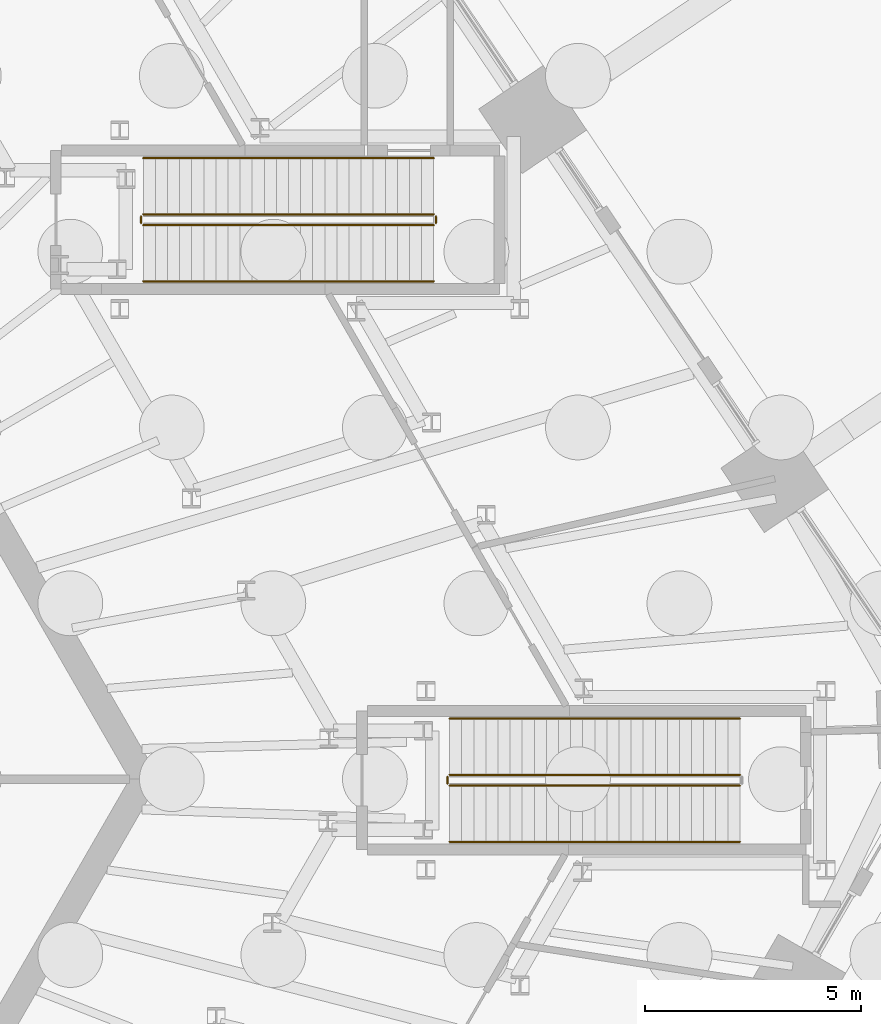
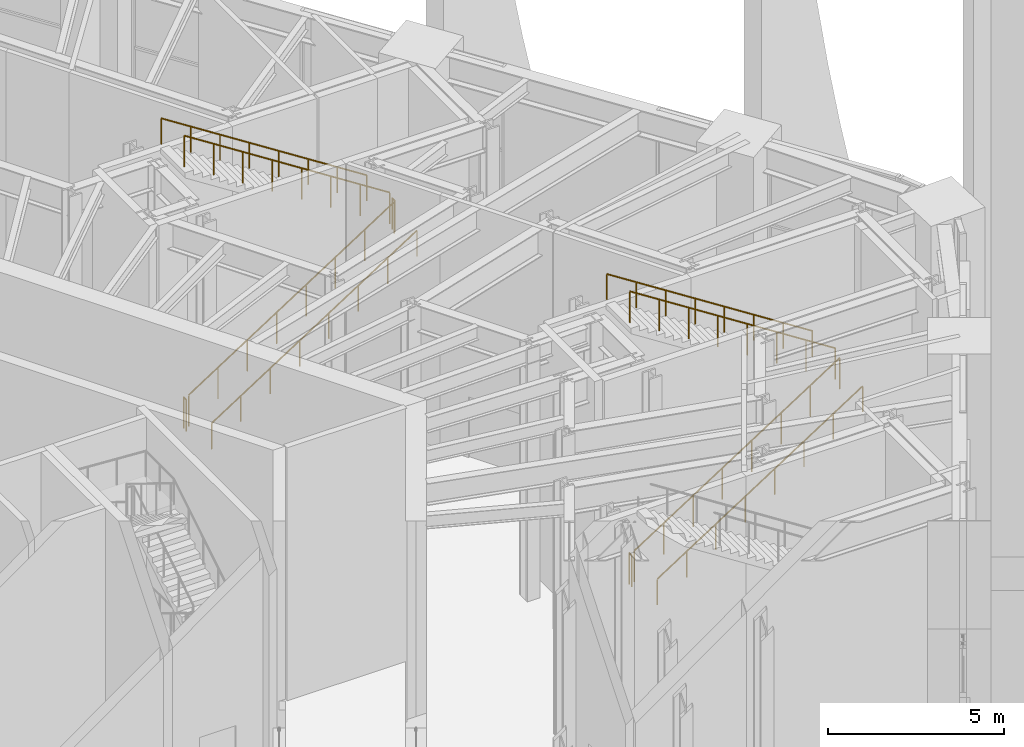
# One storey, part 39 of 43: 11 railings.
"""IFC4 building model written with IfcOpenShell, lengths in metres."""

from ifc_helpers import new_model, si_unit, direction, frame, origin, origin_2d, place, context, subcontext, project, spatial, circle, extrude, material, type_object, element, save


model = new_model("IFC4")

# Units and contexts
model_context = context("Model", 3, precision=1e-05, world=origin(), true_north=direction((0.0, 1.0)))
body_context = subcontext(model_context, "Body", "Model", "MODEL_VIEW")
ifc_project = project(units=[si_unit("LENGTHUNIT", "METRE"), si_unit("AREAUNIT", "SQUARE_METRE"), si_unit("VOLUMEUNIT", "CUBIC_METRE"), si_unit("PLANEANGLEUNIT", "RADIAN"), si_unit("MASSUNIT", "GRAM", prefix="KILO")], contexts=[model_context])

# Site, building, storey
site_placement = place(None, origin())
site = spatial("IfcSite", under=ifc_project, at=site_placement, CompositionType="ELEMENT")
building_placement = place(site_placement, origin())
building = spatial("IfcBuilding", under=site, at=building_placement, Name="Tarnside Tower", CompositionType="ELEMENT")
storey_placement = place(building_placement, origin())
storey = spatial("IfcBuildingStorey", under=building, at=storey_placement, Name="L00", CompositionType="ELEMENT", Elevation=0.0)

# Railings
ifc_material = material(Name="Stainless steel", Category="steel")
railing_type_1 = type_object("IfcRailingType", Name="Podium stair guard 1100", PredefinedType="GUARDRAIL", material=ifc_material)
railing_1_placement = place(storey_placement, frame((22.8798828125, -0.14990234375, 0.179931640625)))
element("IfcRailing", 1, at=railing_1_placement, inside=storey, type_object=railing_type_1, Name="L00 PS3 stair guard 1", PredefinedType="GUARDRAIL", context=body_context, shape_type="SweptSolid", body=[
    extrude(circle(Radius=0.02392578125, at=origin_2d()), frame((0.0, 0.0, 1.076171875), z_axis=(0.841182446993, 0.0, 0.540751413193), x_axis=(0.0, 1.0, 0.0)), (0.0, 0.0, 1.0), 7.989013671875),
    extrude(circle(Radius=0.02099609375, at=origin_2d()), origin(), (0.0, 0.0, 1.0), 1.052001953125),
    extrude(circle(Radius=0.02099609375, at=origin_2d()), frame((0.9599609375, 0.0, 0.6171875)), (0.0, 0.0, 1.0), 1.052001953125),
    extrude(circle(Radius=0.02099609375, at=origin_2d()), frame((1.920166015625, 0.0, 1.234375)), (0.0, 0.0, 1.0), 1.052001953125),
    extrude(circle(Radius=0.02099609375, at=origin_2d()), frame((2.880126953125, 0.0, 1.8515625)), (0.0, 0.0, 1.0), 1.052001953125),
    extrude(circle(Radius=0.02099609375, at=origin_2d()), frame((3.840087890625, 0.0, 2.468505859375)), (0.0, 0.0, 1.0), 1.052001953125),
    extrude(circle(Radius=0.02099609375, at=origin_2d()), frame((4.800048828125, 0.0, 3.085693359375)), (0.0, 0.0, 1.0), 1.052001953125),
    extrude(circle(Radius=0.02099609375, at=origin_2d()), frame((5.76025390625, 0.0, 3.702880859375)), (0.0, 0.0, 1.0), 1.052001953125),
    extrude(circle(Radius=0.02099609375, at=origin_2d()), frame((6.72021484375, 0.0, 4.320068359375)), (0.0, 0.0, 1.0), 1.052001953125),
])
railing_2_placement = place(storey_placement, frame((29.60009765625, 0.10009765625, 4.679931640625)))
element("IfcRailing", 2, at=railing_2_placement, inside=storey, type_object=railing_type_1, Name="L00 PS3 stair guard 3", PredefinedType="GUARDRAIL", context=body_context, shape_type="SweptSolid", body=[
    extrude(circle(Radius=0.02392578125, at=origin_2d()), frame((0.0, 0.0, 1.076171875), z_axis=(-0.841182446993, 0.0, 0.540751413193), x_axis=(0.0, -1.0, 0.0)), (0.0, 0.0, 1.0), 7.989013671875),
    extrude(circle(Radius=0.02099609375, at=origin_2d()), origin(), (0.0, 0.0, 1.0), 1.052001953125),
    extrude(circle(Radius=0.02099609375, at=origin_2d()), frame((-0.9599609375, 0.0, 0.6171875)), (0.0, 0.0, 1.0), 1.052001953125),
    extrude(circle(Radius=0.02099609375, at=origin_2d()), frame((-1.920166015625, 0.0, 1.234375)), (0.0, 0.0, 1.0), 1.052001953125),
    extrude(circle(Radius=0.02099609375, at=origin_2d()), frame((-2.880126953125, 0.0, 1.8515625)), (0.0, 0.0, 1.0), 1.052001953125),
    extrude(circle(Radius=0.02099609375, at=origin_2d()), frame((-3.840087890625, 0.0, 2.468505859375)), (0.0, 0.0, 1.0), 1.052001953125),
    extrude(circle(Radius=0.02099609375, at=origin_2d()), frame((-4.800048828125, 0.0, 3.085693359375)), (0.0, 0.0, 1.0), 1.052001953125),
    extrude(circle(Radius=0.02099609375, at=origin_2d()), frame((-5.76025390625, 0.0, 3.702880859375)), (0.0, 0.0, 1.0), 1.052001953125),
    extrude(circle(Radius=0.02099609375, at=origin_2d()), frame((-6.72021484375, 0.0, 4.320068359375)), (0.0, 0.0, 1.0), 1.052001953125),
])
railing_3_placement = place(storey_placement, frame((22.830078125, -0.10009765625, 0.0)))
element("IfcRailing", 3, at=railing_3_placement, inside=storey, type_object=railing_type_1, Name="L00 PS3 stair guard 4", PredefinedType="GUARDRAIL", context=body_context, shape_type="SweptSolid", body=[
    extrude(circle(Radius=0.02392578125, at=origin_2d()), frame((0.0, 0.0, 1.076171875), z_axis=(0.0, 1.0, 0.0), x_axis=(-1.0, 0.0, 0.0)), (0.0, 0.0, 1.0), 0.150146484375),
    extrude(circle(Radius=0.02099609375, at=origin_2d()), origin(), (0.0, 0.0, 1.0), 1.052001953125),
    extrude(circle(Radius=0.02099609375, at=origin_2d()), frame((0.0, 0.150146484375, 0.0)), (0.0, 0.0, 1.0), 1.052001953125),
])
railing_4_placement = place(storey_placement, frame((15.7900390625, 12.824951171875, 0.179931640625)))
element("IfcRailing", 4, at=railing_4_placement, inside=storey, type_object=railing_type_1, Name="L00 PS4 stair guard 1", PredefinedType="GUARDRAIL", context=body_context, shape_type="SweptSolid", body=[
    extrude(circle(Radius=0.02392578125, at=origin_2d()), frame((0.0, 0.0, 1.076171875), z_axis=(0.841173510664, 0.0, 0.540765314122), x_axis=(0.0, 1.0, 0.0)), (0.0, 0.0, 1.0), 7.98876953125),
    extrude(circle(Radius=0.02099609375, at=origin_2d()), origin(), (0.0, 0.0, 1.0), 1.052001953125),
    extrude(circle(Radius=0.02099609375, at=origin_2d()), frame((0.9599609375, 0.0, 0.6171875)), (0.0, 0.0, 1.0), 1.052001953125),
    extrude(circle(Radius=0.02099609375, at=origin_2d()), frame((1.919921875, 0.0, 1.234375)), (0.0, 0.0, 1.0), 1.052001953125),
    extrude(circle(Radius=0.02099609375, at=origin_2d()), frame((2.8798828125, 0.0, 1.8515625)), (0.0, 0.0, 1.0), 1.052001953125),
    extrude(circle(Radius=0.02099609375, at=origin_2d()), frame((3.840087890625, 0.0, 2.468505859375)), (0.0, 0.0, 1.0), 1.052001953125),
    extrude(circle(Radius=0.02099609375, at=origin_2d()), frame((4.800048828125, 0.0, 3.085693359375)), (0.0, 0.0, 1.0), 1.052001953125),
    extrude(circle(Radius=0.02099609375, at=origin_2d()), frame((5.760009765625, 0.0, 3.702880859375)), (0.0, 0.0, 1.0), 1.052001953125),
    extrude(circle(Radius=0.02099609375, at=origin_2d()), frame((6.719970703125, 0.0, 4.320068359375)), (0.0, 0.0, 1.0), 1.052001953125),
])
railing_5_placement = place(storey_placement, frame((22.56005859375, 12.875, 4.5)))
element("IfcRailing", 5, at=railing_5_placement, inside=storey, type_object=railing_type_1, Name="L00 PS4 stair guard 2", PredefinedType="GUARDRAIL", context=body_context, shape_type="SweptSolid", body=[
    extrude(circle(Radius=0.02392578125, at=origin_2d()), frame((0.0, 0.0, 1.076171875), z_axis=(0.0, 1.0, 0.0), x_axis=(-1.0, 0.0, 0.0)), (0.0, 0.0, 1.0), 0.14990234375),
    extrude(circle(Radius=0.02099609375, at=origin_2d()), origin(), (0.0, 0.0, 1.0), 1.052001953125),
    extrude(circle(Radius=0.02099609375, at=origin_2d()), frame((0.0, 0.14990234375, 0.0)), (0.0, 0.0, 1.0), 1.052001953125),
])
railing_6_placement = place(storey_placement, frame((22.510009765625, 13.074951171875, 4.679931640625)))
element("IfcRailing", 6, at=railing_6_placement, inside=storey, type_object=railing_type_1, Name="L00 PS4 stair guard 3", PredefinedType="GUARDRAIL", context=body_context, shape_type="SweptSolid", body=[
    extrude(circle(Radius=0.02392578125, at=origin_2d()), frame((0.0, 0.0, 1.076171875), z_axis=(-0.841173510664, 0.0, 0.540765314122), x_axis=(0.0, -1.0, 0.0)), (0.0, 0.0, 1.0), 7.98876953125),
    extrude(circle(Radius=0.02099609375, at=origin_2d()), origin(), (0.0, 0.0, 1.0), 1.052001953125),
    extrude(circle(Radius=0.02099609375, at=origin_2d()), frame((-0.9599609375, 0.0, 0.6171875)), (0.0, 0.0, 1.0), 1.052001953125),
    extrude(circle(Radius=0.02099609375, at=origin_2d()), frame((-1.919921875, 0.0, 1.234375)), (0.0, 0.0, 1.0), 1.052001953125),
    extrude(circle(Radius=0.02099609375, at=origin_2d()), frame((-2.8798828125, 0.0, 1.8515625)), (0.0, 0.0, 1.0), 1.052001953125),
    extrude(circle(Radius=0.02099609375, at=origin_2d()), frame((-3.840087890625, 0.0, 2.468505859375)), (0.0, 0.0, 1.0), 1.052001953125),
    extrude(circle(Radius=0.02099609375, at=origin_2d()), frame((-4.800048828125, 0.0, 3.085693359375)), (0.0, 0.0, 1.0), 1.052001953125),
    extrude(circle(Radius=0.02099609375, at=origin_2d()), frame((-5.760009765625, 0.0, 3.702880859375)), (0.0, 0.0, 1.0), 1.052001953125),
    extrude(circle(Radius=0.02099609375, at=origin_2d()), frame((-6.719970703125, 0.0, 4.320068359375)), (0.0, 0.0, 1.0), 1.052001953125),
])
railing_7_placement = place(storey_placement, frame((15.739990234375, 12.875, 0.0)))
element("IfcRailing", 7, at=railing_7_placement, inside=storey, type_object=railing_type_1, Name="L00 PS4 stair guard 4", PredefinedType="GUARDRAIL", context=body_context, shape_type="SweptSolid", body=[
    extrude(circle(Radius=0.02392578125, at=origin_2d()), frame((0.0, 0.0, 1.076171875), z_axis=(0.0, 1.0, 0.0), x_axis=(-1.0, 0.0, 0.0)), (0.0, 0.0, 1.0), 0.14990234375),
    extrude(circle(Radius=0.02099609375, at=origin_2d()), origin(), (0.0, 0.0, 1.0), 1.052001953125),
    extrude(circle(Radius=0.02099609375, at=origin_2d()), frame((0.0, 0.14990234375, 0.0)), (0.0, 0.0, 1.0), 1.052001953125),
])
railing_type_2 = type_object("IfcRailingType", Name="Podium stair handrail 900", PredefinedType="HANDRAIL", material=ifc_material)
railing_8_placement = place(storey_placement, frame((22.8798828125, -1.449951171875, 0.179931640625)))
element("IfcRailing", 8, at=railing_8_placement, inside=storey, type_object=railing_type_2, Name="L00 PS3 stair handrail 1", PredefinedType="HANDRAIL", context=body_context, shape_type="SweptSolid", body=[
    extrude(circle(Radius=0.02392578125, at=origin_2d()), frame((0.0, 0.0, 0.8857421875), z_axis=(0.841182446993, 0.0, 0.540751413193), x_axis=(0.0, 1.0, 0.0)), (0.0, 0.0, 1.0), 7.989013671875),
    extrude(circle(Radius=0.02099609375, at=origin_2d()), origin(), (0.0, 0.0, 1.0), 0.86181640625),
    extrude(circle(Radius=0.02099609375, at=origin_2d()), frame((0.9599609375, 0.0, 0.6171875)), (0.0, 0.0, 1.0), 0.86181640625),
    extrude(circle(Radius=0.02099609375, at=origin_2d()), frame((1.920166015625, 0.0, 1.234375)), (0.0, 0.0, 1.0), 0.86181640625),
    extrude(circle(Radius=0.02099609375, at=origin_2d()), frame((2.880126953125, 0.0, 1.8515625)), (0.0, 0.0, 1.0), 0.86181640625),
    extrude(circle(Radius=0.02099609375, at=origin_2d()), frame((3.840087890625, 0.0, 2.468505859375)), (0.0, 0.0, 1.0), 0.86181640625),
    extrude(circle(Radius=0.02099609375, at=origin_2d()), frame((4.800048828125, 0.0, 3.085693359375)), (0.0, 0.0, 1.0), 0.86181640625),
    extrude(circle(Radius=0.02099609375, at=origin_2d()), frame((5.76025390625, 0.0, 3.702880859375)), (0.0, 0.0, 1.0), 0.86181640625),
    extrude(circle(Radius=0.02099609375, at=origin_2d()), frame((6.72021484375, 0.0, 4.320068359375)), (0.0, 0.0, 1.0), 0.86181640625),
])
railing_9_placement = place(storey_placement, frame((29.60009765625, 1.39990234375, 4.679931640625)))
element("IfcRailing", 9, at=railing_9_placement, inside=storey, type_object=railing_type_2, Name="L00 PS3 stair handrail 2", PredefinedType="HANDRAIL", context=body_context, shape_type="SweptSolid", body=[
    extrude(circle(Radius=0.02392578125, at=origin_2d()), frame((0.0, 0.0, 0.8857421875), z_axis=(-0.841182446993, 0.0, 0.540751413193), x_axis=(0.0, -1.0, 0.0)), (0.0, 0.0, 1.0), 7.989013671875),
    extrude(circle(Radius=0.02099609375, at=origin_2d()), origin(), (0.0, 0.0, 1.0), 0.86181640625),
    extrude(circle(Radius=0.02099609375, at=origin_2d()), frame((-0.9599609375, 0.0, 0.6171875)), (0.0, 0.0, 1.0), 0.86181640625),
    extrude(circle(Radius=0.02099609375, at=origin_2d()), frame((-1.920166015625, 0.0, 1.234375)), (0.0, 0.0, 1.0), 0.86181640625),
    extrude(circle(Radius=0.02099609375, at=origin_2d()), frame((-2.880126953125, 0.0, 1.8515625)), (0.0, 0.0, 1.0), 0.86181640625),
    extrude(circle(Radius=0.02099609375, at=origin_2d()), frame((-3.840087890625, 0.0, 2.468505859375)), (0.0, 0.0, 1.0), 0.86181640625),
    extrude(circle(Radius=0.02099609375, at=origin_2d()), frame((-4.800048828125, 0.0, 3.085693359375)), (0.0, 0.0, 1.0), 0.86181640625),
    extrude(circle(Radius=0.02099609375, at=origin_2d()), frame((-5.76025390625, 0.0, 3.702880859375)), (0.0, 0.0, 1.0), 0.86181640625),
    extrude(circle(Radius=0.02099609375, at=origin_2d()), frame((-6.72021484375, 0.0, 4.320068359375)), (0.0, 0.0, 1.0), 0.86181640625),
])
railing_10_placement = place(storey_placement, frame((15.7900390625, 11.52490234375, 0.179931640625)))
element("IfcRailing", 10, at=railing_10_placement, inside=storey, type_object=railing_type_2, Name="L00 PS4 stair handrail 1", PredefinedType="HANDRAIL", context=body_context, shape_type="SweptSolid", body=[
    extrude(circle(Radius=0.02392578125, at=origin_2d()), frame((0.0, 0.0, 0.8857421875), z_axis=(0.841173510664, 0.0, 0.540765314122), x_axis=(0.0, 1.0, 0.0)), (0.0, 0.0, 1.0), 7.98876953125),
    extrude(circle(Radius=0.02099609375, at=origin_2d()), origin(), (0.0, 0.0, 1.0), 0.86181640625),
    extrude(circle(Radius=0.02099609375, at=origin_2d()), frame((0.9599609375, 0.0, 0.6171875)), (0.0, 0.0, 1.0), 0.86181640625),
    extrude(circle(Radius=0.02099609375, at=origin_2d()), frame((1.919921875, 0.0, 1.234375)), (0.0, 0.0, 1.0), 0.86181640625),
    extrude(circle(Radius=0.02099609375, at=origin_2d()), frame((2.8798828125, 0.0, 1.8515625)), (0.0, 0.0, 1.0), 0.86181640625),
    extrude(circle(Radius=0.02099609375, at=origin_2d()), frame((3.840087890625, 0.0, 2.468505859375)), (0.0, 0.0, 1.0), 0.86181640625),
    extrude(circle(Radius=0.02099609375, at=origin_2d()), frame((4.800048828125, 0.0, 3.085693359375)), (0.0, 0.0, 1.0), 0.86181640625),
    extrude(circle(Radius=0.02099609375, at=origin_2d()), frame((5.760009765625, 0.0, 3.702880859375)), (0.0, 0.0, 1.0), 0.86181640625),
    extrude(circle(Radius=0.02099609375, at=origin_2d()), frame((6.719970703125, 0.0, 4.320068359375)), (0.0, 0.0, 1.0), 0.86181640625),
])
railing_11_placement = place(storey_placement, frame((22.510009765625, 14.375, 4.679931640625)))
element("IfcRailing", 11, at=railing_11_placement, inside=storey, type_object=railing_type_2, Name="L00 PS4 stair handrail 2", PredefinedType="HANDRAIL", context=body_context, shape_type="SweptSolid", body=[
    extrude(circle(Radius=0.02392578125, at=origin_2d()), frame((0.0, 0.0, 0.8857421875), z_axis=(-0.841173510664, 0.0, 0.540765314122), x_axis=(0.0, -1.0, 0.0)), (0.0, 0.0, 1.0), 7.98876953125),
    extrude(circle(Radius=0.02099609375, at=origin_2d()), origin(), (0.0, 0.0, 1.0), 0.86181640625),
    extrude(circle(Radius=0.02099609375, at=origin_2d()), frame((-0.9599609375, 0.0, 0.6171875)), (0.0, 0.0, 1.0), 0.86181640625),
    extrude(circle(Radius=0.02099609375, at=origin_2d()), frame((-1.919921875, 0.0, 1.234375)), (0.0, 0.0, 1.0), 0.86181640625),
    extrude(circle(Radius=0.02099609375, at=origin_2d()), frame((-2.8798828125, 0.0, 1.8515625)), (0.0, 0.0, 1.0), 0.86181640625),
    extrude(circle(Radius=0.02099609375, at=origin_2d()), frame((-3.840087890625, 0.0, 2.468505859375)), (0.0, 0.0, 1.0), 0.86181640625),
    extrude(circle(Radius=0.02099609375, at=origin_2d()), frame((-4.800048828125, 0.0, 3.085693359375)), (0.0, 0.0, 1.0), 0.86181640625),
    extrude(circle(Radius=0.02099609375, at=origin_2d()), frame((-5.760009765625, 0.0, 3.702880859375)), (0.0, 0.0, 1.0), 0.86181640625),
    extrude(circle(Radius=0.02099609375, at=origin_2d()), frame((-6.719970703125, 0.0, 4.320068359375)), (0.0, 0.0, 1.0), 0.86181640625),
])

save(model, "model.ifc")
